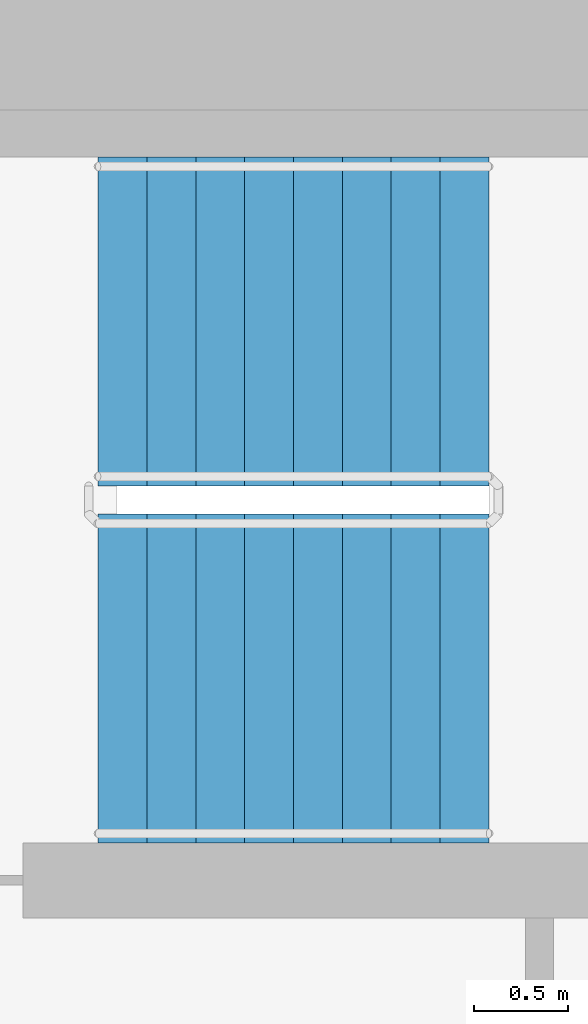
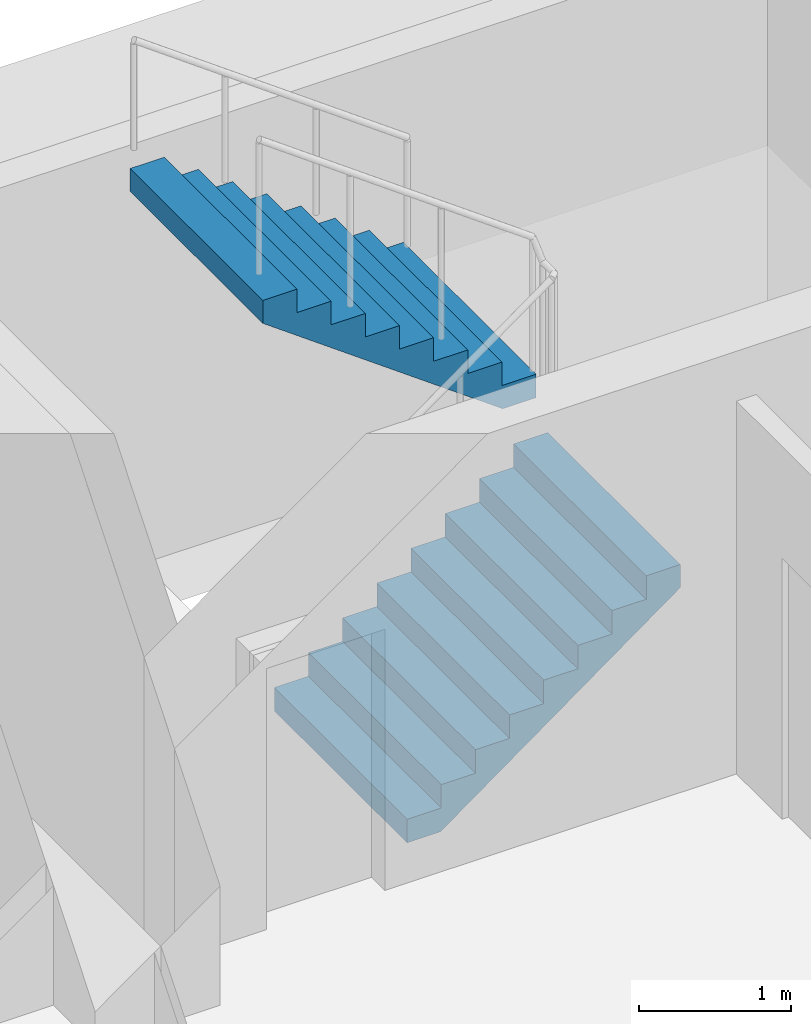
# One storey, part 16 of 21: 2 stair flights, 1 element without a shape of its own.
"""IFC4 building model written with IfcOpenShell, lengths in metres."""

from ifc_helpers import new_model, si_unit, direction, frame, origin, place, context, subcontext, project, spatial, faceted_brep, material, type_object, element, aggregate, save


model = new_model("IFC4")

# Units and contexts
model_context = context("Model", 3, precision=1e-05, world=origin(), true_north=direction((0.0, 1.0)))
body_context = subcontext(model_context, "Body", "Model", "MODEL_VIEW")
ifc_project = project(units=[si_unit("LENGTHUNIT", "METRE"), si_unit("AREAUNIT", "SQUARE_METRE"), si_unit("VOLUMEUNIT", "CUBIC_METRE"), si_unit("PLANEANGLEUNIT", "RADIAN"), si_unit("MASSUNIT", "GRAM", prefix="KILO")], contexts=[model_context])

# Site, building, storey
site_placement = place(None, origin())
site = spatial("IfcSite", under=ifc_project, at=site_placement, CompositionType="ELEMENT")
building_placement = place(site_placement, origin())
building = spatial("IfcBuilding", under=site, at=building_placement, Name="Ipe Terrace Towers", CompositionType="ELEMENT")
storey_placement = place(building_placement, frame((0.0, 0.0, 117.39990234375)))
storey = spatial("IfcBuildingStorey", under=building, at=storey_placement, Name="L32", CompositionType="ELEMENT", Elevation=117.39990234375)

# Stair, stair flights
ifc_material_1 = material(Name="Concrete C30/37", Category="concrete")
stair_type = type_object("IfcStairType", Name="Protected exit stair", PredefinedType="HALF_TURN_STAIR", material=ifc_material_1)
stair_placement = place(storey_placement, origin())
stair = element("IfcStair", 1, at=stair_placement, inside=storey, type_object=stair_type, Name="L32 Exit stair T1-C1", PredefinedType="HALF_TURN_STAIR")
ifc_material_2 = material(Name="Concrete C30/37", Category="concrete")
stair_flight_type = type_object("IfcStairFlightType", Name="Exit stair flight 1750", PredefinedType="STRAIGHT", material=ifc_material_2)
stair_flight_1_placement = place(storey_placement, frame((-26.300048828125, 2.77490234375, 0.0), z_axis=(0.0, 0.0, 1.0), x_axis=(1.0, 0.0, 0.0)))
stair_flight_1 = element("IfcStairFlight", 2, at=stair_flight_1_placement, type_object=stair_flight_type, Name="T1-ST1 flight 1", NumberOfRisers=9, NumberOfTreads=8, PredefinedType="STRAIGHT", RiserHeight=0.188888889, TreadLength=0.26, context=body_context, shape_type="Brep", body=[
    faceted_brep([(0.255126953125, -0.875, 0.0), (2.080078125, -0.875, 1.325927734375), (2.080078125, -0.875, 1.51123046875), (1.820068359375, -0.875, 1.51123046875), (1.820068359375, -0.875, 1.322265625), (1.56005859375, -0.875, 1.322265625), (1.56005859375, -0.875, 1.13330078125), (1.300048828125, -0.875, 1.13330078125), (1.300048828125, -0.875, 0.9443359375), (1.0400390625, -0.875, 0.9443359375), (1.0400390625, -0.875, 0.755615234375), (0.780029296875, -0.875, 0.755615234375), (0.780029296875, -0.875, 0.566650390625), (0.52001953125, -0.875, 0.566650390625), (0.52001953125, -0.875, 0.377685546875), (0.260009765625, -0.875, 0.377685546875), (0.260009765625, -0.875, 0.18896484375), (0.0, -0.875, 0.18896484375), (0.0, -0.875, 0.0), (0.0, 0.875, 0.0), (0.0, 0.875, 0.18896484375), (0.260009765625, 0.875, 0.18896484375), (0.260009765625, 0.875, 0.377685546875), (0.52001953125, 0.875, 0.377685546875), (0.52001953125, 0.875, 0.566650390625), (0.780029296875, 0.875, 0.566650390625), (0.780029296875, 0.875, 0.755615234375), (1.0400390625, 0.875, 0.755615234375), (1.0400390625, 0.875, 0.9443359375), (1.300048828125, 0.875, 0.9443359375), (1.300048828125, 0.875, 1.13330078125), (1.56005859375, 0.875, 1.13330078125), (1.56005859375, 0.875, 1.322265625), (1.820068359375, 0.875, 1.322265625), (1.820068359375, 0.875, 1.51123046875), (2.080078125, 0.875, 1.51123046875), (2.080078125, 0.875, 1.325927734375), (0.255126953125, 0.875, 0.0), (0.0, -0.300048828125, 0.18896484375), (0.0, -0.1201171875, 0.18896484375), (0.0, -0.06005859375, 0.18896484375), (0.0, -0.030029296875, 0.18896484375), (0.0, -0.010009765625, 0.18896484375), (0.0, 0.0, 0.18896484375), (0.0, 0.010009765625, 0.18896484375), (0.0, 0.030029296875, 0.18896484375), (0.0, 0.06005859375, 0.18896484375), (0.0, 0.1201171875, 0.18896484375), (0.0, 0.300048828125, 0.18896484375), (0.0, 0.300048828125, 0.0), (0.0, 0.1201171875, 0.0), (0.0, 0.06005859375, 0.0), (0.0, 0.030029296875, 0.0), (0.0, 0.010009765625, 0.0), (0.0, 0.0, 0.0), (0.0, -0.010009765625, 0.0), (0.0, -0.030029296875, 0.0), (0.0, -0.06005859375, 0.0), (0.0, -0.1201171875, 0.0), (0.0, -0.300048828125, 0.0), (0.260009765625, -0.300048828125, 0.18896484375), (0.260009765625, -0.1201171875, 0.18896484375), (0.260009765625, -0.06005859375, 0.18896484375), (0.260009765625, -0.030029296875, 0.18896484375), (0.260009765625, -0.010009765625, 0.18896484375), (0.260009765625, 0.0, 0.18896484375), (0.260009765625, 0.010009765625, 0.18896484375), (0.260009765625, 0.030029296875, 0.18896484375), (0.260009765625, 0.06005859375, 0.18896484375), (0.260009765625, 0.1201171875, 0.18896484375), (0.260009765625, 0.300048828125, 0.18896484375), (0.260009765625, -0.300048828125, 0.377685546875), (0.260009765625, -0.1201171875, 0.377685546875), (0.260009765625, -0.06005859375, 0.377685546875), (0.260009765625, -0.030029296875, 0.377685546875), (0.260009765625, -0.010009765625, 0.377685546875), (0.260009765625, 0.0, 0.377685546875), (0.260009765625, 0.010009765625, 0.377685546875), (0.260009765625, 0.030029296875, 0.377685546875), (0.260009765625, 0.06005859375, 0.377685546875), (0.260009765625, 0.1201171875, 0.377685546875), (0.260009765625, 0.300048828125, 0.377685546875), (0.52001953125, -0.300048828125, 0.377685546875), (0.52001953125, -0.1201171875, 0.377685546875), (0.52001953125, -0.06005859375, 0.377685546875), (0.52001953125, -0.030029296875, 0.377685546875), (0.52001953125, -0.010009765625, 0.377685546875), (0.52001953125, 0.0, 0.377685546875), (0.52001953125, 0.010009765625, 0.377685546875), (0.52001953125, 0.030029296875, 0.377685546875), (0.52001953125, 0.06005859375, 0.377685546875), (0.52001953125, 0.1201171875, 0.377685546875), (0.52001953125, 0.300048828125, 0.377685546875), (0.52001953125, -0.300048828125, 0.566650390625), (0.52001953125, -0.1201171875, 0.566650390625), (0.52001953125, -0.06005859375, 0.566650390625), (0.52001953125, -0.030029296875, 0.566650390625), (0.52001953125, -0.010009765625, 0.566650390625), (0.52001953125, 0.0, 0.566650390625), (0.52001953125, 0.010009765625, 0.566650390625), (0.52001953125, 0.030029296875, 0.566650390625), (0.52001953125, 0.06005859375, 0.566650390625), (0.52001953125, 0.1201171875, 0.566650390625), (0.52001953125, 0.300048828125, 0.566650390625), (0.780029296875, -0.300048828125, 0.566650390625), (0.780029296875, -0.1201171875, 0.566650390625), (0.780029296875, -0.06005859375, 0.566650390625), (0.780029296875, -0.030029296875, 0.566650390625), (0.780029296875, -0.010009765625, 0.566650390625), (0.780029296875, 0.0, 0.566650390625), (0.780029296875, 0.010009765625, 0.566650390625), (0.780029296875, 0.030029296875, 0.566650390625), (0.780029296875, 0.06005859375, 0.566650390625), (0.780029296875, 0.1201171875, 0.566650390625), (0.780029296875, 0.300048828125, 0.566650390625), (0.780029296875, -0.300048828125, 0.755615234375), (0.780029296875, -0.1201171875, 0.755615234375), (0.780029296875, -0.06005859375, 0.755615234375), (0.780029296875, -0.030029296875, 0.755615234375), (0.780029296875, -0.010009765625, 0.755615234375), (0.780029296875, 0.0, 0.755615234375), (0.780029296875, 0.010009765625, 0.755615234375), (0.780029296875, 0.030029296875, 0.755615234375), (0.780029296875, 0.06005859375, 0.755615234375), (0.780029296875, 0.1201171875, 0.755615234375), (0.780029296875, 0.300048828125, 0.755615234375), (1.0400390625, -0.300048828125, 0.755615234375), (1.0400390625, -0.1201171875, 0.755615234375), (1.0400390625, -0.06005859375, 0.755615234375), (1.0400390625, -0.030029296875, 0.755615234375), (1.0400390625, -0.010009765625, 0.755615234375), (1.0400390625, 0.0, 0.755615234375), (1.0400390625, 0.010009765625, 0.755615234375), (1.0400390625, 0.030029296875, 0.755615234375), (1.0400390625, 0.06005859375, 0.755615234375), (1.0400390625, 0.1201171875, 0.755615234375), (1.0400390625, 0.300048828125, 0.755615234375), (1.0400390625, -0.300048828125, 0.9443359375), (1.0400390625, -0.1201171875, 0.9443359375), (1.0400390625, -0.06005859375, 0.9443359375), (1.0400390625, -0.030029296875, 0.9443359375), (1.0400390625, -0.010009765625, 0.9443359375), (1.0400390625, 0.0, 0.9443359375), (1.0400390625, 0.010009765625, 0.9443359375), (1.0400390625, 0.030029296875, 0.9443359375), (1.0400390625, 0.06005859375, 0.9443359375), (1.0400390625, 0.1201171875, 0.9443359375), (1.0400390625, 0.300048828125, 0.9443359375), (1.300048828125, -0.300048828125, 0.9443359375), (1.300048828125, -0.1201171875, 0.9443359375), (1.300048828125, -0.06005859375, 0.9443359375), (1.300048828125, -0.030029296875, 0.9443359375), (1.300048828125, -0.010009765625, 0.9443359375), (1.300048828125, 0.0, 0.9443359375), (1.300048828125, 0.010009765625, 0.9443359375), (1.300048828125, 0.030029296875, 0.9443359375), (1.300048828125, 0.06005859375, 0.9443359375), (1.300048828125, 0.1201171875, 0.9443359375), (1.300048828125, 0.300048828125, 0.9443359375), (1.300048828125, -0.300048828125, 1.13330078125), (1.300048828125, -0.1201171875, 1.13330078125), (1.300048828125, -0.06005859375, 1.13330078125), (1.300048828125, -0.030029296875, 1.13330078125), (1.300048828125, -0.010009765625, 1.13330078125), (1.300048828125, 0.0, 1.13330078125), (1.300048828125, 0.010009765625, 1.13330078125), (1.300048828125, 0.030029296875, 1.13330078125), (1.300048828125, 0.06005859375, 1.13330078125), (1.300048828125, 0.1201171875, 1.13330078125), (1.300048828125, 0.300048828125, 1.13330078125), (1.56005859375, -0.300048828125, 1.13330078125), (1.56005859375, -0.1201171875, 1.13330078125), (1.56005859375, -0.06005859375, 1.13330078125), (1.56005859375, -0.030029296875, 1.13330078125), (1.56005859375, -0.010009765625, 1.13330078125), (1.56005859375, 0.0, 1.13330078125), (1.56005859375, 0.010009765625, 1.13330078125), (1.56005859375, 0.030029296875, 1.13330078125), (1.56005859375, 0.06005859375, 1.13330078125), (1.56005859375, 0.1201171875, 1.13330078125), (1.56005859375, 0.300048828125, 1.13330078125), (1.56005859375, -0.300048828125, 1.322265625), (1.56005859375, -0.1201171875, 1.322265625), (1.56005859375, -0.06005859375, 1.322265625), (1.56005859375, -0.030029296875, 1.322265625), (1.56005859375, -0.010009765625, 1.322265625), (1.56005859375, 0.0, 1.322265625), (1.56005859375, 0.010009765625, 1.322265625), (1.56005859375, 0.030029296875, 1.322265625), (1.56005859375, 0.06005859375, 1.322265625), (1.56005859375, 0.1201171875, 1.322265625), (1.56005859375, 0.300048828125, 1.322265625), (1.820068359375, -0.300048828125, 1.322265625), (1.820068359375, -0.1201171875, 1.322265625), (1.820068359375, -0.06005859375, 1.322265625), (1.820068359375, -0.030029296875, 1.322265625), (1.820068359375, -0.010009765625, 1.322265625), (1.820068359375, 0.0, 1.322265625), (1.820068359375, 0.010009765625, 1.322265625), (1.820068359375, 0.030029296875, 1.322265625), (1.820068359375, 0.06005859375, 1.322265625), (1.820068359375, 0.1201171875, 1.322265625), (1.820068359375, 0.300048828125, 1.322265625), (1.820068359375, -0.300048828125, 1.51123046875), (1.820068359375, -0.1201171875, 1.51123046875), (1.820068359375, -0.06005859375, 1.51123046875), (1.820068359375, -0.030029296875, 1.51123046875), (1.820068359375, -0.010009765625, 1.51123046875), (1.820068359375, 0.0, 1.51123046875), (1.820068359375, 0.010009765625, 1.51123046875), (1.820068359375, 0.030029296875, 1.51123046875), (1.820068359375, 0.06005859375, 1.51123046875), (1.820068359375, 0.1201171875, 1.51123046875), (1.820068359375, 0.300048828125, 1.51123046875), (2.080078125, -0.300048828125, 1.51123046875), (2.080078125, -0.1201171875, 1.51123046875), (2.080078125, -0.06005859375, 1.51123046875), (2.080078125, -0.030029296875, 1.51123046875), (2.080078125, -0.010009765625, 1.51123046875), (2.080078125, 0.0, 1.51123046875), (2.080078125, 0.010009765625, 1.51123046875), (2.080078125, 0.030029296875, 1.51123046875), (2.080078125, 0.06005859375, 1.51123046875), (2.080078125, 0.1201171875, 1.51123046875), (2.080078125, 0.300048828125, 1.51123046875), (2.080078125, -0.300048828125, 1.325927734375), (2.080078125, -0.1201171875, 1.325927734375), (2.080078125, -0.06005859375, 1.325927734375), (2.080078125, -0.030029296875, 1.325927734375), (2.080078125, -0.010009765625, 1.325927734375), (2.080078125, 0.0, 1.325927734375), (2.080078125, 0.010009765625, 1.325927734375), (2.080078125, 0.030029296875, 1.325927734375), (2.080078125, 0.06005859375, 1.325927734375), (2.080078125, 0.1201171875, 1.325927734375), (2.080078125, 0.300048828125, 1.325927734375), (0.255126953125, -0.300048828125, 0.0), (0.255126953125, -0.1201171875, 0.0), (0.255126953125, -0.06005859375, 0.0), (0.255126953125, -0.030029296875, 0.0), (0.255126953125, -0.010009765625, 0.0), (0.255126953125, 0.0, 0.0), (0.255126953125, 0.010009765625, 0.0), (0.255126953125, 0.030029296875, 0.0), (0.255126953125, 0.06005859375, 0.0), (0.255126953125, 0.1201171875, 0.0), (0.255126953125, 0.300048828125, 0.0)], [[[0, 1, 2, 3, 4, 5, 6, 7, 8, 9, 10, 11, 12, 13, 14, 15, 16, 17, 18]], [[19, 20, 21, 22, 23, 24, 25, 26, 27, 28, 29, 30, 31, 32, 33, 34, 35, 36, 37]], [[17, 38, 39, 40, 41, 42, 43, 44, 45, 46, 47, 48, 20, 19, 49, 50, 51, 52, 53, 54, 55, 56, 57, 58, 59, 18]], [[16, 60, 61, 62, 63, 64, 65, 66, 67, 68, 69, 70, 21, 20, 48, 47, 46, 45, 44, 43, 42, 41, 40, 39, 38, 17]], [[15, 71, 72, 73, 74, 75, 76, 77, 78, 79, 80, 81, 22, 21, 70, 69, 68, 67, 66, 65, 64, 63, 62, 61, 60, 16]], [[14, 82, 83, 84, 85, 86, 87, 88, 89, 90, 91, 92, 23, 22, 81, 80, 79, 78, 77, 76, 75, 74, 73, 72, 71, 15]], [[13, 93, 94, 95, 96, 97, 98, 99, 100, 101, 102, 103, 24, 23, 92, 91, 90, 89, 88, 87, 86, 85, 84, 83, 82, 14]], [[12, 104, 105, 106, 107, 108, 109, 110, 111, 112, 113, 114, 25, 24, 103, 102, 101, 100, 99, 98, 97, 96, 95, 94, 93, 13]], [[11, 115, 116, 117, 118, 119, 120, 121, 122, 123, 124, 125, 26, 25, 114, 113, 112, 111, 110, 109, 108, 107, 106, 105, 104, 12]], [[10, 126, 127, 128, 129, 130, 131, 132, 133, 134, 135, 136, 27, 26, 125, 124, 123, 122, 121, 120, 119, 118, 117, 116, 115, 11]], [[9, 137, 138, 139, 140, 141, 142, 143, 144, 145, 146, 147, 28, 27, 136, 135, 134, 133, 132, 131, 130, 129, 128, 127, 126, 10]], [[8, 148, 149, 150, 151, 152, 153, 154, 155, 156, 157, 158, 29, 28, 147, 146, 145, 144, 143, 142, 141, 140, 139, 138, 137, 9]], [[7, 159, 160, 161, 162, 163, 164, 165, 166, 167, 168, 169, 30, 29, 158, 157, 156, 155, 154, 153, 152, 151, 150, 149, 148, 8]], [[6, 170, 171, 172, 173, 174, 175, 176, 177, 178, 179, 180, 31, 30, 169, 168, 167, 166, 165, 164, 163, 162, 161, 160, 159, 7]], [[5, 181, 182, 183, 184, 185, 186, 187, 188, 189, 190, 191, 32, 31, 180, 179, 178, 177, 176, 175, 174, 173, 172, 171, 170, 6]], [[4, 192, 193, 194, 195, 196, 197, 198, 199, 200, 201, 202, 33, 32, 191, 190, 189, 188, 187, 186, 185, 184, 183, 182, 181, 5]], [[3, 203, 204, 205, 206, 207, 208, 209, 210, 211, 212, 213, 34, 33, 202, 201, 200, 199, 198, 197, 196, 195, 194, 193, 192, 4]], [[2, 214, 215, 216, 217, 218, 219, 220, 221, 222, 223, 224, 35, 34, 213, 212, 211, 210, 209, 208, 207, 206, 205, 204, 203, 3]], [[1, 225, 226, 227, 228, 229, 230, 231, 232, 233, 234, 235, 36, 35, 224, 223, 222, 221, 220, 219, 218, 217, 216, 215, 214, 2]], [[0, 236, 237, 238, 239, 240, 241, 242, 243, 244, 245, 246, 37, 36, 235, 234, 233, 232, 231, 230, 229, 228, 227, 226, 225, 1]], [[18, 59, 58, 57, 56, 55, 54, 53, 52, 51, 50, 49, 19, 37, 246, 245, 244, 243, 242, 241, 240, 239, 238, 237, 236, 0]]]),
])
stair_flight_2_placement = place(storey_placement, frame((-24.219970703125, 4.675048828125, 1.7001953125), z_axis=(0.0, 0.0, 1.0), x_axis=(-1.0, 0.0, 0.0)))
stair_flight_2 = element("IfcStairFlight", 3, at=stair_flight_2_placement, type_object=stair_flight_type, Name="T1-ST1 flight 2", NumberOfRisers=9, NumberOfTreads=8, PredefinedType="STRAIGHT", RiserHeight=0.188888889, TreadLength=0.26, context=body_context, shape_type="Brep", body=[
    faceted_brep([(0.255126953125, -0.875, 0.0), (2.080078125, -0.875, 1.325927734375), (2.080078125, -0.875, 1.51123046875), (1.820068359375, -0.875, 1.51123046875), (1.820068359375, -0.875, 1.322265625), (1.56005859375, -0.875, 1.322265625), (1.56005859375, -0.875, 1.13330078125), (1.300048828125, -0.875, 1.13330078125), (1.300048828125, -0.875, 0.9443359375), (1.0400390625, -0.875, 0.9443359375), (1.0400390625, -0.875, 0.755615234375), (0.780029296875, -0.875, 0.755615234375), (0.780029296875, -0.875, 0.566650390625), (0.52001953125, -0.875, 0.566650390625), (0.52001953125, -0.875, 0.377685546875), (0.260009765625, -0.875, 0.377685546875), (0.260009765625, -0.875, 0.18896484375), (0.0, -0.875, 0.18896484375), (0.0, -0.875, 0.0), (0.0, 0.875, 0.0), (0.0, 0.875, 0.18896484375), (0.260009765625, 0.875, 0.18896484375), (0.260009765625, 0.875, 0.377685546875), (0.52001953125, 0.875, 0.377685546875), (0.52001953125, 0.875, 0.566650390625), (0.780029296875, 0.875, 0.566650390625), (0.780029296875, 0.875, 0.755615234375), (1.0400390625, 0.875, 0.755615234375), (1.0400390625, 0.875, 0.9443359375), (1.300048828125, 0.875, 0.9443359375), (1.300048828125, 0.875, 1.13330078125), (1.56005859375, 0.875, 1.13330078125), (1.56005859375, 0.875, 1.322265625), (1.820068359375, 0.875, 1.322265625), (1.820068359375, 0.875, 1.51123046875), (2.080078125, 0.875, 1.51123046875), (2.080078125, 0.875, 1.325927734375), (0.255126953125, 0.875, 0.0), (0.0, -0.300048828125, 0.18896484375), (0.0, -0.1201171875, 0.18896484375), (0.0, -0.06005859375, 0.18896484375), (0.0, -0.030029296875, 0.18896484375), (0.0, -0.010009765625, 0.18896484375), (0.0, 0.0, 0.18896484375), (0.0, 0.010009765625, 0.18896484375), (0.0, 0.030029296875, 0.18896484375), (0.0, 0.06005859375, 0.18896484375), (0.0, 0.1201171875, 0.18896484375), (0.0, 0.300048828125, 0.18896484375), (0.0, 0.300048828125, 0.0), (0.0, 0.1201171875, 0.0), (0.0, 0.06005859375, 0.0), (0.0, 0.030029296875, 0.0), (0.0, 0.010009765625, 0.0), (0.0, 0.0, 0.0), (0.0, -0.010009765625, 0.0), (0.0, -0.030029296875, 0.0), (0.0, -0.06005859375, 0.0), (0.0, -0.1201171875, 0.0), (0.0, -0.300048828125, 0.0), (0.260009765625, -0.300048828125, 0.18896484375), (0.260009765625, -0.1201171875, 0.18896484375), (0.260009765625, -0.06005859375, 0.18896484375), (0.260009765625, -0.030029296875, 0.18896484375), (0.260009765625, -0.010009765625, 0.18896484375), (0.260009765625, 0.0, 0.18896484375), (0.260009765625, 0.010009765625, 0.18896484375), (0.260009765625, 0.030029296875, 0.18896484375), (0.260009765625, 0.06005859375, 0.18896484375), (0.260009765625, 0.1201171875, 0.18896484375), (0.260009765625, 0.300048828125, 0.18896484375), (0.260009765625, -0.300048828125, 0.377685546875), (0.260009765625, -0.1201171875, 0.377685546875), (0.260009765625, -0.06005859375, 0.377685546875), (0.260009765625, -0.030029296875, 0.377685546875), (0.260009765625, -0.010009765625, 0.377685546875), (0.260009765625, 0.0, 0.377685546875), (0.260009765625, 0.010009765625, 0.377685546875), (0.260009765625, 0.030029296875, 0.377685546875), (0.260009765625, 0.06005859375, 0.377685546875), (0.260009765625, 0.1201171875, 0.377685546875), (0.260009765625, 0.300048828125, 0.377685546875), (0.52001953125, -0.300048828125, 0.377685546875), (0.52001953125, -0.1201171875, 0.377685546875), (0.52001953125, -0.06005859375, 0.377685546875), (0.52001953125, -0.030029296875, 0.377685546875), (0.52001953125, -0.010009765625, 0.377685546875), (0.52001953125, 0.0, 0.377685546875), (0.52001953125, 0.010009765625, 0.377685546875), (0.52001953125, 0.030029296875, 0.377685546875), (0.52001953125, 0.06005859375, 0.377685546875), (0.52001953125, 0.1201171875, 0.377685546875), (0.52001953125, 0.300048828125, 0.377685546875), (0.52001953125, -0.300048828125, 0.566650390625), (0.52001953125, -0.1201171875, 0.566650390625), (0.52001953125, -0.06005859375, 0.566650390625), (0.52001953125, -0.030029296875, 0.566650390625), (0.52001953125, -0.010009765625, 0.566650390625), (0.52001953125, 0.0, 0.566650390625), (0.52001953125, 0.010009765625, 0.566650390625), (0.52001953125, 0.030029296875, 0.566650390625), (0.52001953125, 0.06005859375, 0.566650390625), (0.52001953125, 0.1201171875, 0.566650390625), (0.52001953125, 0.300048828125, 0.566650390625), (0.780029296875, -0.300048828125, 0.566650390625), (0.780029296875, -0.1201171875, 0.566650390625), (0.780029296875, -0.06005859375, 0.566650390625), (0.780029296875, -0.030029296875, 0.566650390625), (0.780029296875, -0.010009765625, 0.566650390625), (0.780029296875, 0.0, 0.566650390625), (0.780029296875, 0.010009765625, 0.566650390625), (0.780029296875, 0.030029296875, 0.566650390625), (0.780029296875, 0.06005859375, 0.566650390625), (0.780029296875, 0.1201171875, 0.566650390625), (0.780029296875, 0.300048828125, 0.566650390625), (0.780029296875, -0.300048828125, 0.755615234375), (0.780029296875, -0.1201171875, 0.755615234375), (0.780029296875, -0.06005859375, 0.755615234375), (0.780029296875, -0.030029296875, 0.755615234375), (0.780029296875, -0.010009765625, 0.755615234375), (0.780029296875, 0.0, 0.755615234375), (0.780029296875, 0.010009765625, 0.755615234375), (0.780029296875, 0.030029296875, 0.755615234375), (0.780029296875, 0.06005859375, 0.755615234375), (0.780029296875, 0.1201171875, 0.755615234375), (0.780029296875, 0.300048828125, 0.755615234375), (1.0400390625, -0.300048828125, 0.755615234375), (1.0400390625, -0.1201171875, 0.755615234375), (1.0400390625, -0.06005859375, 0.755615234375), (1.0400390625, -0.030029296875, 0.755615234375), (1.0400390625, -0.010009765625, 0.755615234375), (1.0400390625, 0.0, 0.755615234375), (1.0400390625, 0.010009765625, 0.755615234375), (1.0400390625, 0.030029296875, 0.755615234375), (1.0400390625, 0.06005859375, 0.755615234375), (1.0400390625, 0.1201171875, 0.755615234375), (1.0400390625, 0.300048828125, 0.755615234375), (1.0400390625, -0.300048828125, 0.9443359375), (1.0400390625, -0.1201171875, 0.9443359375), (1.0400390625, -0.06005859375, 0.9443359375), (1.0400390625, -0.030029296875, 0.9443359375), (1.0400390625, -0.010009765625, 0.9443359375), (1.0400390625, 0.0, 0.9443359375), (1.0400390625, 0.010009765625, 0.9443359375), (1.0400390625, 0.030029296875, 0.9443359375), (1.0400390625, 0.06005859375, 0.9443359375), (1.0400390625, 0.1201171875, 0.9443359375), (1.0400390625, 0.300048828125, 0.9443359375), (1.300048828125, -0.300048828125, 0.9443359375), (1.300048828125, -0.1201171875, 0.9443359375), (1.300048828125, -0.06005859375, 0.9443359375), (1.300048828125, -0.030029296875, 0.9443359375), (1.300048828125, -0.010009765625, 0.9443359375), (1.300048828125, 0.0, 0.9443359375), (1.300048828125, 0.010009765625, 0.9443359375), (1.300048828125, 0.030029296875, 0.9443359375), (1.300048828125, 0.06005859375, 0.9443359375), (1.300048828125, 0.1201171875, 0.9443359375), (1.300048828125, 0.300048828125, 0.9443359375), (1.300048828125, -0.300048828125, 1.13330078125), (1.300048828125, -0.1201171875, 1.13330078125), (1.300048828125, -0.06005859375, 1.13330078125), (1.300048828125, -0.030029296875, 1.13330078125), (1.300048828125, -0.010009765625, 1.13330078125), (1.300048828125, 0.0, 1.13330078125), (1.300048828125, 0.010009765625, 1.13330078125), (1.300048828125, 0.030029296875, 1.13330078125), (1.300048828125, 0.06005859375, 1.13330078125), (1.300048828125, 0.1201171875, 1.13330078125), (1.300048828125, 0.300048828125, 1.13330078125), (1.56005859375, -0.300048828125, 1.13330078125), (1.56005859375, -0.1201171875, 1.13330078125), (1.56005859375, -0.06005859375, 1.13330078125), (1.56005859375, -0.030029296875, 1.13330078125), (1.56005859375, -0.010009765625, 1.13330078125), (1.56005859375, 0.0, 1.13330078125), (1.56005859375, 0.010009765625, 1.13330078125), (1.56005859375, 0.030029296875, 1.13330078125), (1.56005859375, 0.06005859375, 1.13330078125), (1.56005859375, 0.1201171875, 1.13330078125), (1.56005859375, 0.300048828125, 1.13330078125), (1.56005859375, -0.300048828125, 1.322265625), (1.56005859375, -0.1201171875, 1.322265625), (1.56005859375, -0.06005859375, 1.322265625), (1.56005859375, -0.030029296875, 1.322265625), (1.56005859375, -0.010009765625, 1.322265625), (1.56005859375, 0.0, 1.322265625), (1.56005859375, 0.010009765625, 1.322265625), (1.56005859375, 0.030029296875, 1.322265625), (1.56005859375, 0.06005859375, 1.322265625), (1.56005859375, 0.1201171875, 1.322265625), (1.56005859375, 0.300048828125, 1.322265625), (1.820068359375, -0.300048828125, 1.322265625), (1.820068359375, -0.1201171875, 1.322265625), (1.820068359375, -0.06005859375, 1.322265625), (1.820068359375, -0.030029296875, 1.322265625), (1.820068359375, -0.010009765625, 1.322265625), (1.820068359375, 0.0, 1.322265625), (1.820068359375, 0.010009765625, 1.322265625), (1.820068359375, 0.030029296875, 1.322265625), (1.820068359375, 0.06005859375, 1.322265625), (1.820068359375, 0.1201171875, 1.322265625), (1.820068359375, 0.300048828125, 1.322265625), (1.820068359375, -0.300048828125, 1.51123046875), (1.820068359375, -0.1201171875, 1.51123046875), (1.820068359375, -0.06005859375, 1.51123046875), (1.820068359375, -0.030029296875, 1.51123046875), (1.820068359375, -0.010009765625, 1.51123046875), (1.820068359375, 0.0, 1.51123046875), (1.820068359375, 0.010009765625, 1.51123046875), (1.820068359375, 0.030029296875, 1.51123046875), (1.820068359375, 0.06005859375, 1.51123046875), (1.820068359375, 0.1201171875, 1.51123046875), (1.820068359375, 0.300048828125, 1.51123046875), (2.080078125, -0.300048828125, 1.51123046875), (2.080078125, -0.1201171875, 1.51123046875), (2.080078125, -0.06005859375, 1.51123046875), (2.080078125, -0.030029296875, 1.51123046875), (2.080078125, -0.010009765625, 1.51123046875), (2.080078125, 0.0, 1.51123046875), (2.080078125, 0.010009765625, 1.51123046875), (2.080078125, 0.030029296875, 1.51123046875), (2.080078125, 0.06005859375, 1.51123046875), (2.080078125, 0.1201171875, 1.51123046875), (2.080078125, 0.300048828125, 1.51123046875), (2.080078125, -0.300048828125, 1.325927734375), (2.080078125, -0.1201171875, 1.325927734375), (2.080078125, -0.06005859375, 1.325927734375), (2.080078125, -0.030029296875, 1.325927734375), (2.080078125, -0.010009765625, 1.325927734375), (2.080078125, 0.0, 1.325927734375), (2.080078125, 0.010009765625, 1.325927734375), (2.080078125, 0.030029296875, 1.325927734375), (2.080078125, 0.06005859375, 1.325927734375), (2.080078125, 0.1201171875, 1.325927734375), (2.080078125, 0.300048828125, 1.325927734375), (0.255126953125, -0.300048828125, 0.0), (0.255126953125, -0.1201171875, 0.0), (0.255126953125, -0.06005859375, 0.0), (0.255126953125, -0.030029296875, 0.0), (0.255126953125, -0.010009765625, 0.0), (0.255126953125, 0.0, 0.0), (0.255126953125, 0.010009765625, 0.0), (0.255126953125, 0.030029296875, 0.0), (0.255126953125, 0.06005859375, 0.0), (0.255126953125, 0.1201171875, 0.0), (0.255126953125, 0.300048828125, 0.0)], [[[0, 1, 2, 3, 4, 5, 6, 7, 8, 9, 10, 11, 12, 13, 14, 15, 16, 17, 18]], [[19, 20, 21, 22, 23, 24, 25, 26, 27, 28, 29, 30, 31, 32, 33, 34, 35, 36, 37]], [[17, 38, 39, 40, 41, 42, 43, 44, 45, 46, 47, 48, 20, 19, 49, 50, 51, 52, 53, 54, 55, 56, 57, 58, 59, 18]], [[16, 60, 61, 62, 63, 64, 65, 66, 67, 68, 69, 70, 21, 20, 48, 47, 46, 45, 44, 43, 42, 41, 40, 39, 38, 17]], [[15, 71, 72, 73, 74, 75, 76, 77, 78, 79, 80, 81, 22, 21, 70, 69, 68, 67, 66, 65, 64, 63, 62, 61, 60, 16]], [[14, 82, 83, 84, 85, 86, 87, 88, 89, 90, 91, 92, 23, 22, 81, 80, 79, 78, 77, 76, 75, 74, 73, 72, 71, 15]], [[13, 93, 94, 95, 96, 97, 98, 99, 100, 101, 102, 103, 24, 23, 92, 91, 90, 89, 88, 87, 86, 85, 84, 83, 82, 14]], [[12, 104, 105, 106, 107, 108, 109, 110, 111, 112, 113, 114, 25, 24, 103, 102, 101, 100, 99, 98, 97, 96, 95, 94, 93, 13]], [[11, 115, 116, 117, 118, 119, 120, 121, 122, 123, 124, 125, 26, 25, 114, 113, 112, 111, 110, 109, 108, 107, 106, 105, 104, 12]], [[10, 126, 127, 128, 129, 130, 131, 132, 133, 134, 135, 136, 27, 26, 125, 124, 123, 122, 121, 120, 119, 118, 117, 116, 115, 11]], [[9, 137, 138, 139, 140, 141, 142, 143, 144, 145, 146, 147, 28, 27, 136, 135, 134, 133, 132, 131, 130, 129, 128, 127, 126, 10]], [[8, 148, 149, 150, 151, 152, 153, 154, 155, 156, 157, 158, 29, 28, 147, 146, 145, 144, 143, 142, 141, 140, 139, 138, 137, 9]], [[7, 159, 160, 161, 162, 163, 164, 165, 166, 167, 168, 169, 30, 29, 158, 157, 156, 155, 154, 153, 152, 151, 150, 149, 148, 8]], [[6, 170, 171, 172, 173, 174, 175, 176, 177, 178, 179, 180, 31, 30, 169, 168, 167, 166, 165, 164, 163, 162, 161, 160, 159, 7]], [[5, 181, 182, 183, 184, 185, 186, 187, 188, 189, 190, 191, 32, 31, 180, 179, 178, 177, 176, 175, 174, 173, 172, 171, 170, 6]], [[4, 192, 193, 194, 195, 196, 197, 198, 199, 200, 201, 202, 33, 32, 191, 190, 189, 188, 187, 186, 185, 184, 183, 182, 181, 5]], [[3, 203, 204, 205, 206, 207, 208, 209, 210, 211, 212, 213, 34, 33, 202, 201, 200, 199, 198, 197, 196, 195, 194, 193, 192, 4]], [[2, 214, 215, 216, 217, 218, 219, 220, 221, 222, 223, 224, 35, 34, 213, 212, 211, 210, 209, 208, 207, 206, 205, 204, 203, 3]], [[1, 225, 226, 227, 228, 229, 230, 231, 232, 233, 234, 235, 36, 35, 224, 223, 222, 221, 220, 219, 218, 217, 216, 215, 214, 2]], [[0, 236, 237, 238, 239, 240, 241, 242, 243, 244, 245, 246, 37, 36, 235, 234, 233, 232, 231, 230, 229, 228, 227, 226, 225, 1]], [[18, 59, 58, 57, 56, 55, 54, 53, 52, 51, 50, 49, 19, 37, 246, 245, 244, 243, 242, 241, 240, 239, 238, 237, 236, 0]]]),
])
aggregate(stair, [stair_flight_1, stair_flight_2])

save(model, "model.ifc")
